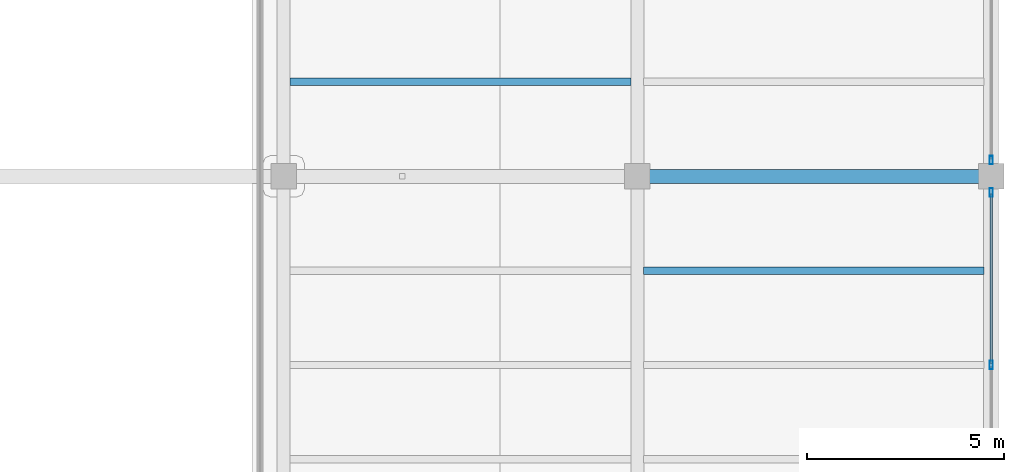
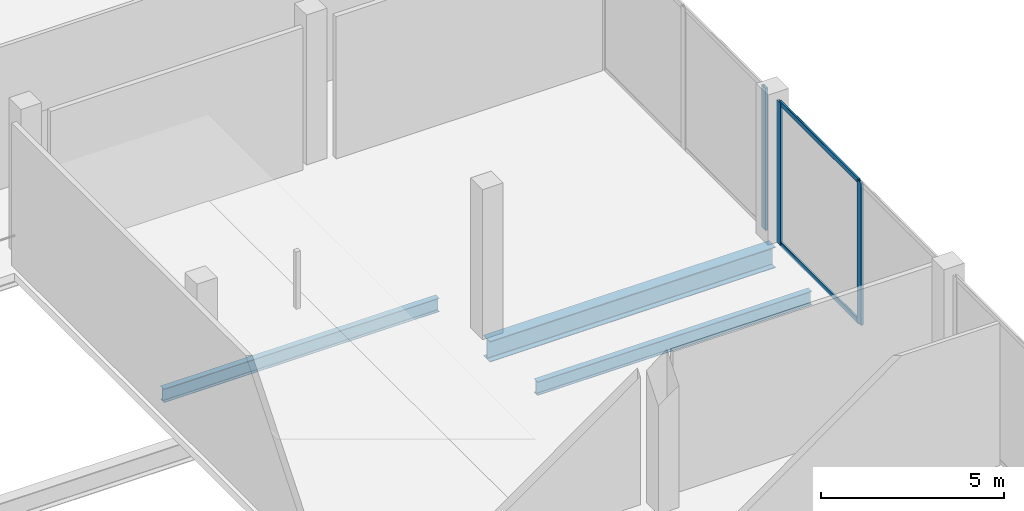
# One storey, part 18 of 46: 5 members, 3 beams, 2 elements without a shape of their own.
"""IFC4 building model written with IfcOpenShell, lengths in metres."""

from ifc_helpers import new_model, si_unit, direction, frame, origin, origin_2d, place, context, subcontext, project, spatial, hollow_rectangle, i_section, extrude, material, layer, layer_set, material_profile, profile_set, type_object, element, aggregate, save


model = new_model("IFC4")

# Units and contexts
model_context = context("Model", 3, precision=1e-05, world=origin(), true_north=direction((0.0, 1.0)))
body_context = subcontext(model_context, "Body", "Model", "MODEL_VIEW")
ifc_project = project(units=[si_unit("LENGTHUNIT", "METRE"), si_unit("AREAUNIT", "SQUARE_METRE"), si_unit("VOLUMEUNIT", "CUBIC_METRE"), si_unit("PLANEANGLEUNIT", "RADIAN"), si_unit("MASSUNIT", "GRAM", prefix="KILO")], contexts=[model_context])

# Site, building, storey
site_placement = place(None, origin())
site = spatial("IfcSite", under=ifc_project, at=site_placement, CompositionType="ELEMENT")
building_placement = place(site_placement, origin())
building = spatial("IfcBuilding", under=site, at=building_placement, Name="Qorvath Tower", CompositionType="ELEMENT")
storey_placement = place(building_placement, frame((0.0, 0.0, 17.0)))
storey = spatial("IfcBuildingStorey", under=building, at=storey_placement, Name="L03", CompositionType="ELEMENT", Elevation=17.0)

# Beams
ifc_material_1 = material(Name="Steel ASTM A992 Grade 50", Category="steel")
ifc_material_profile_1 = material_profile(ifc_material_1, i_section(OverallWidth=0.35595703125, OverallDepth=0.696044921875, WebThickness=0.015380859375, FlangeThickness=0.02490234375, FilletRadius=0.01806640625, at=origin_2d()), Name="W27x146")
ifc_profile_set_1 = profile_set([ifc_material_profile_1], Name="Steel ASTM A992 Grade 50")
beam_type_1 = type_object("IfcBeamType", Name="BM-FG4", PredefinedType="BEAM", material=ifc_profile_set_1)
beam_1_placement = place(storey_placement, frame((68.39990234375, 0.0, -0.60791015625), z_axis=(1.0, 0.0, 0.0), x_axis=(0.0, 1.0, 0.0)))
element("IfcBeam", 1, at=beam_1_placement, inside=storey, type_object=beam_type_1, Name="Library E-W Girder L03-5-5", PredefinedType="BEAM", context=body_context, shape_type="SweptSolid", body=[
    extrude(i_section(OverallWidth=0.35595703125, OverallDepth=0.696044921875, WebThickness=0.015380859375, FlangeThickness=0.02490234375, FilletRadius=0.01806640625, at=origin_2d()), origin(), (0.0, 0.0, 1.0), 9.0),
])
ifc_material_2 = material(Name="Steel ASTM A992 Grade 50", Category="steel")
ifc_material_profile_2 = material_profile(ifc_material_2, i_section(OverallWidth=0.18994140625, OverallDepth=0.45703125, WebThickness=0.009033203125, FlangeThickness=0.014404296875, FilletRadius=0.011962890625, at=origin_2d()), Name="W18x50")
ifc_profile_set_2 = profile_set([ifc_material_profile_2], Name="Steel ASTM A992 Grade 50")
beam_type_2 = type_object("IfcBeamType", Name="BM-FJ2", PredefinedType="JOIST", material=ifc_profile_set_2)
beam_2_placement = place(storey_placement, frame((68.560546875, -2.39990234375, -0.488525390625), z_axis=(1.0, 0.0, 0.0), x_axis=(0.0, 1.0, 0.0)))
element("IfcBeam", 2, at=beam_2_placement, inside=storey, type_object=beam_type_2, Name="Library Stack Joist L03-4.3-5", PredefinedType="JOIST", context=body_context, shape_type="SweptSolid", body=[
    extrude(i_section(OverallWidth=0.18994140625, OverallDepth=0.45703125, WebThickness=0.009033203125, FlangeThickness=0.014404296875, FilletRadius=0.011962890625, at=origin_2d()), origin(), (0.0, 0.0, 1.0), 8.65087890625),
])
beam_3_placement = place(storey_placement, frame((59.560546875, 2.39990234375, -0.488525390625), z_axis=(1.0, 0.0, 0.0), x_axis=(0.0, 1.0, 0.0)))
element("IfcBeam", 3, at=beam_3_placement, inside=storey, type_object=beam_type_2, Name="Library Stack Joist L03-5.1-4", PredefinedType="JOIST", context=body_context, shape_type="SweptSolid", body=[
    extrude(i_section(OverallWidth=0.18994140625, OverallDepth=0.45703125, WebThickness=0.009033203125, FlangeThickness=0.014404296875, FilletRadius=0.011962890625, at=origin_2d()), origin(), (0.0, 0.0, 1.0), 8.678955078125),
])

# Curtain wall, members
ifc_material_3 = material(Name="Anodised aluminium and triple low-E glass", Category="aluminium")
ifc_layer = layer(ifc_material_3, 0.179931640625)
ifc_layer_set = layer_set([ifc_layer], Name="CW-SYS-6")
curtain_wall_type = type_object("IfcCurtainWallType", Name="CW-SYS-6", PredefinedType="NOTDEFINED", material=ifc_layer_set)
curtain_wall_1_placement = place(storey_placement, origin())
curtain_wall_1 = element("IfcCurtainWall", 4, at=curtain_wall_1_placement, inside=storey, type_object=curtain_wall_type, Name="Curtain Wall CW-6 CW-LIB-E-L03-4", PredefinedType="NOTDEFINED")
ifc_material_4 = material(Name="Anodised aluminium 6063-T6", Category="aluminium")
ifc_material_profile_3 = material_profile(ifc_material_4, hollow_rectangle(XDim=0.080078125, YDim=0.219970703125, WallThickness=0.00439453125, InnerFilletRadius=0.00439453125, OuterFilletRadius=0.009033203125, at=origin_2d()), Name="CWM LIB 220x80")
ifc_profile_set_3 = profile_set([ifc_material_profile_3], Name="Anodised aluminium 6063-T6")
member_type_1 = type_object("IfcMemberType", Name="CWM-LIB", PredefinedType="MULLION", material=ifc_profile_set_3)
member_1_placement = place(storey_placement, frame((77.39990234375, -4.800048828125, 0.0), z_axis=(0.0, 0.0, 1.0), x_axis=(-1.0, 0.0, 0.0)))
member_1 = element("IfcMember", 5, at=member_1_placement, type_object=member_type_1, Name="CW-6 mullion 2", PredefinedType="MULLION", context=body_context, shape_type="SweptSolid", body=[
    extrude(hollow_rectangle(XDim=0.080078125, YDim=0.219970703125, WallThickness=0.00439453125, InnerFilletRadius=0.00439453125, OuterFilletRadius=0.009033203125, at=origin_2d()), origin(), (0.0, 0.0, 1.0), 4.739990234375),
])
member_2_placement = place(storey_placement, frame((77.39990234375, -0.41015625, 0.0), z_axis=(0.0, 0.0, 1.0), x_axis=(-1.0, 0.0, 0.0)))
member_2 = element("IfcMember", 6, at=member_2_placement, type_object=member_type_1, Name="CW-6 mullion 3", PredefinedType="MULLION", context=body_context, shape_type="SweptSolid", body=[
    extrude(hollow_rectangle(XDim=0.080078125, YDim=0.219970703125, WallThickness=0.00439453125, InnerFilletRadius=0.00439453125, OuterFilletRadius=0.009033203125, at=origin_2d()), origin(), (0.0, 0.0, 1.0), 4.739990234375),
])

# Curtain wall, member
curtain_wall_2_placement = place(storey_placement, origin())
curtain_wall_2 = element("IfcCurtainWall", 7, at=curtain_wall_2_placement, inside=storey, type_object=curtain_wall_type, Name="Curtain Wall CW-6 CW-LIB-E-L03-5", PredefinedType="NOTDEFINED")
member_3_placement = place(storey_placement, frame((77.39990234375, 0.41015625, 0.0), z_axis=(0.0, 0.0, 1.0), x_axis=(-1.0, 0.0, 0.0)))
member_3 = element("IfcMember", 8, at=member_3_placement, type_object=member_type_1, Name="CW-6 mullion 1", PredefinedType="MULLION", context=body_context, shape_type="SweptSolid", body=[
    extrude(hollow_rectangle(XDim=0.080078125, YDim=0.219970703125, WallThickness=0.00439453125, InnerFilletRadius=0.00439453125, OuterFilletRadius=0.009033203125, at=origin_2d()), origin(), (0.0, 0.0, 1.0), 4.739990234375),
])
aggregate(curtain_wall_2, [member_3])

# Member
ifc_material_5 = material(Name="Anodised aluminium 6063-T6", Category="aluminium")
ifc_material_profile_4 = material_profile(ifc_material_5, hollow_rectangle(XDim=0.06494140625, YDim=0.159912109375, WallThickness=0.00341796875, InnerFilletRadius=0.00341796875, OuterFilletRadius=0.007080078125, at=origin_2d()), Name="CWT 160x65")
ifc_profile_set_4 = profile_set([ifc_material_profile_4], Name="Anodised aluminium 6063-T6")
member_type_2 = type_object("IfcMemberType", Name="CWT-160", PredefinedType="USERDEFINED", material=ifc_profile_set_4)
member_4_placement = place(storey_placement, frame((77.39990234375, -4.760009765625, 0.032470703125), z_axis=(0.0, 1.0, 0.0), x_axis=(-1.0, 0.0, 0.0)))
member_4 = element("IfcMember", 9, at=member_4_placement, type_object=member_type_2, Name="CW-6 transom 2.1", ObjectType="TRANSOM", PredefinedType="USERDEFINED", context=body_context, shape_type="SweptSolid", body=[
    extrude(hollow_rectangle(XDim=0.06494140625, YDim=0.159912109375, WallThickness=0.00341796875, InnerFilletRadius=0.00341796875, OuterFilletRadius=0.007080078125, at=origin_2d()), origin(), (0.0, 0.0, 1.0), 4.309814453125),
])

member_5_placement = place(storey_placement, frame((77.39990234375, -4.760009765625, 4.70751953125), z_axis=(0.0, 1.0, 0.0), x_axis=(-1.0, 0.0, 0.0)))
member_5 = element("IfcMember", 10, at=member_5_placement, type_object=member_type_2, Name="CW-6 transom 2.2", ObjectType="TRANSOM", PredefinedType="USERDEFINED", context=body_context, shape_type="SweptSolid", body=[
    extrude(hollow_rectangle(XDim=0.06494140625, YDim=0.159912109375, WallThickness=0.00341796875, InnerFilletRadius=0.00341796875, OuterFilletRadius=0.007080078125, at=origin_2d()), origin(), (0.0, 0.0, 1.0), 4.309814453125),
])

aggregate(curtain_wall_1, [member_1, member_2, member_4, member_5])

save(model, "model.ifc")
